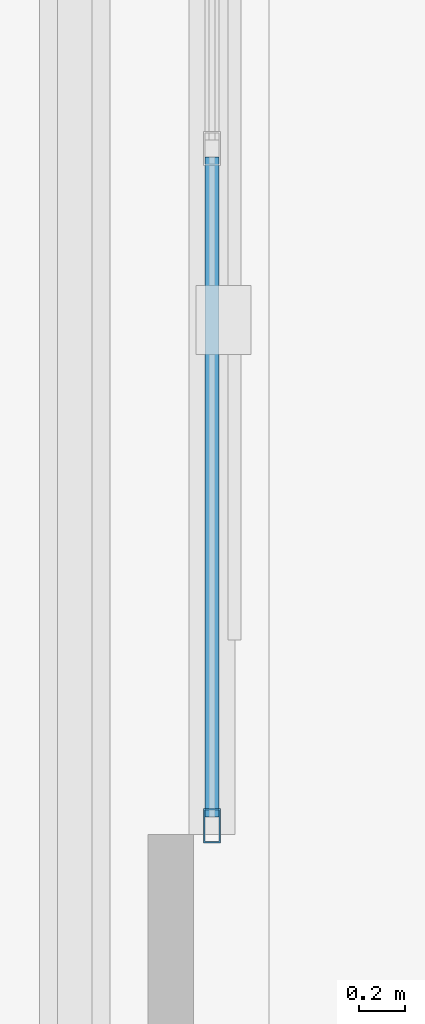
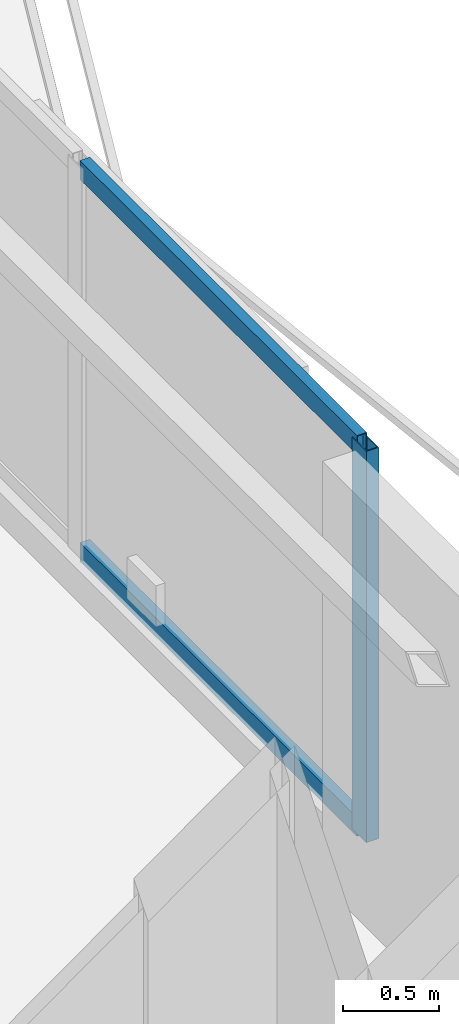
# One storey, part 6 of 21: 3 members, 1 element without a shape of its own.
"""IFC4 building model written with IfcOpenShell, lengths in metres."""

from ifc_helpers import new_model, si_unit, direction, frame, origin, origin_2d, place, context, subcontext, project, spatial, hollow_rectangle, extrude, material, layer, layer_set, material_profile, profile_set, type_object, element, aggregate, save


model = new_model("IFC4")

# Units and contexts
model_context = context("Model", 3, precision=1e-05, world=origin(), true_north=direction((0.0, 1.0)))
body_context = subcontext(model_context, "Body", "Model", "MODEL_VIEW")
ifc_project = project(units=[si_unit("LENGTHUNIT", "METRE"), si_unit("AREAUNIT", "SQUARE_METRE"), si_unit("VOLUMEUNIT", "CUBIC_METRE"), si_unit("PLANEANGLEUNIT", "RADIAN"), si_unit("MASSUNIT", "GRAM", prefix="KILO")], contexts=[model_context])

# Site, building, storey
site_placement = place(None, origin())
site = spatial("IfcSite", under=ifc_project, at=site_placement, CompositionType="ELEMENT")
building_placement = place(site_placement, origin())
building = spatial("IfcBuilding", under=site, at=building_placement, Name="Mersakhor Tower and Convention Hall", CompositionType="ELEMENT")
storey_placement = place(building_placement, frame((0.0, 0.0, 185.39990234375)))
storey = spatial("IfcBuildingStorey", under=building, at=storey_placement, Name="L51", CompositionType="ELEMENT", Elevation=185.39990234375)

# Curtain wall, members
ifc_material_1 = material(Name="Dark solar low-E aluminium curtain wall", Category="aluminium")
ifc_layer = layer(ifc_material_1, 0.169921875)
ifc_layer_set = layer_set([ifc_layer], Name="Dark solar low-E aluminium curtain wall")
curtain_wall_type = type_object("IfcCurtainWallType", Name="CW-SYS-02", PredefinedType="USERDEFINED", material=ifc_layer_set)
curtain_wall_placement = place(storey_placement, origin())
curtain_wall = element("IfcCurtainWall", 1, at=curtain_wall_placement, inside=storey, type_object=curtain_wall_type, Name="L51 Dark-Glass Curtain Wall F2-B2", ObjectType="CURTAIN WALL", PredefinedType="USERDEFINED")
ifc_material_2 = material(Name="Anodised aluminium EN AW-6063 T6", Category="aluminium")
ifc_material_profile_1 = material_profile(ifc_material_2, hollow_rectangle(XDim=0.074951171875, YDim=0.14990234375, WallThickness=0.00634765625, at=origin_2d()), Name="RHS 150x75x6.3")
ifc_profile_set_1 = profile_set([ifc_material_profile_1], Name="Anodised aluminium EN AW-6063 T6")
member_type_1 = type_object("IfcMemberType", Name="CWM-150x75", PredefinedType="MULLION", material=ifc_profile_set_1)
member_1_placement = place(storey_placement, frame((40.58837890625, 22.2880859375, 0.2001953125), z_axis=(0.0, 0.0, 1.0), x_axis=(1.0, 0.0, 0.0)))
member_1 = element("IfcMember", 2, at=member_1_placement, type_object=member_type_1, Name="CW-02 mullion 4", PredefinedType="MULLION", context=body_context, shape_type="SweptSolid", body=[
    extrude(hollow_rectangle(XDim=0.074951171875, YDim=0.14990234375, WallThickness=0.00634765625, at=origin_2d()), origin(), (0.0, 0.0, 1.0), 2.489990234375),
])
ifc_material_3 = material(Name="Anodised aluminium EN AW-6063 T6", Category="aluminium")
ifc_material_profile_2 = material_profile(ifc_material_3, hollow_rectangle(XDim=0.06005859375, YDim=0.1201171875, WallThickness=0.0048828125, at=origin_2d()), Name="RHS 120x60x5")
ifc_profile_set_2 = profile_set([ifc_material_profile_2], Name="Anodised aluminium EN AW-6063 T6")
member_type_2 = type_object("IfcMemberType", Name="CWT-120x60", PredefinedType="USERDEFINED", material=ifc_profile_set_2)
member_2_placement = place(storey_placement, frame((40.58837890625, 25.212646484375, 0.22998046875), z_axis=(0.0, -1.0, 0.0), x_axis=(1.0, 0.0, 0.0)))
member_2 = element("IfcMember", 3, at=member_2_placement, type_object=member_type_2, Name="CW-02 transom 3.1", ObjectType="TRANSOM", PredefinedType="USERDEFINED", context=body_context, shape_type="SweptSolid", body=[
    extrude(hollow_rectangle(XDim=0.06005859375, YDim=0.1201171875, WallThickness=0.0048828125, at=origin_2d()), origin(), (0.0, 0.0, 1.0), 2.88720703125),
])
member_3_placement = place(storey_placement, frame((40.58837890625, 25.212646484375, 2.66015625), z_axis=(0.0, -1.0, 0.0), x_axis=(1.0, 0.0, 0.0)))
member_3 = element("IfcMember", 4, at=member_3_placement, type_object=member_type_2, Name="CW-02 transom 3.2", ObjectType="TRANSOM", PredefinedType="USERDEFINED", context=body_context, shape_type="SweptSolid", body=[
    extrude(hollow_rectangle(XDim=0.06005859375, YDim=0.1201171875, WallThickness=0.0048828125, at=origin_2d()), origin(), (0.0, 0.0, 1.0), 2.88720703125),
])
aggregate(curtain_wall, [member_1, member_2, member_3])

save(model, "model.ifc")
